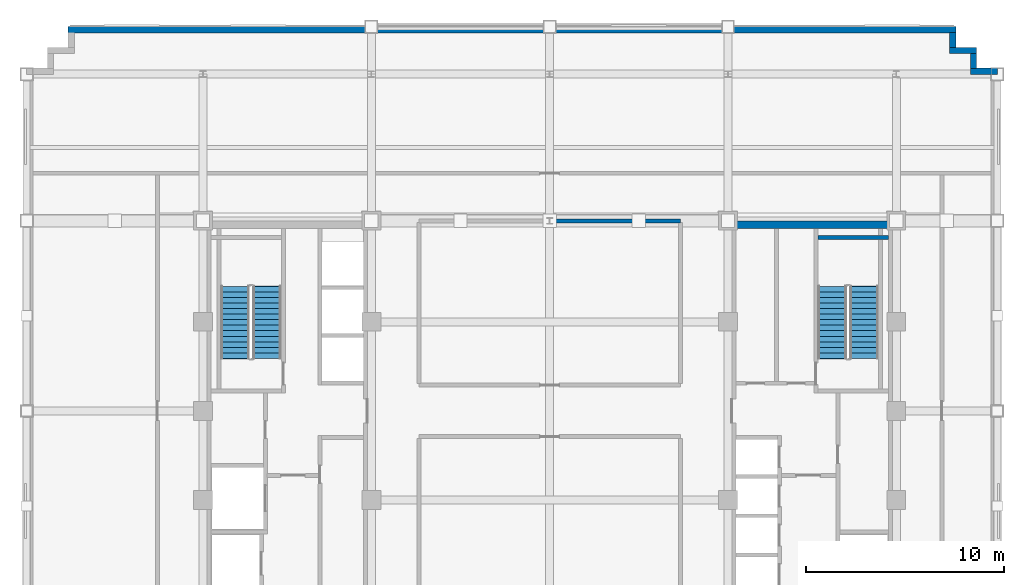
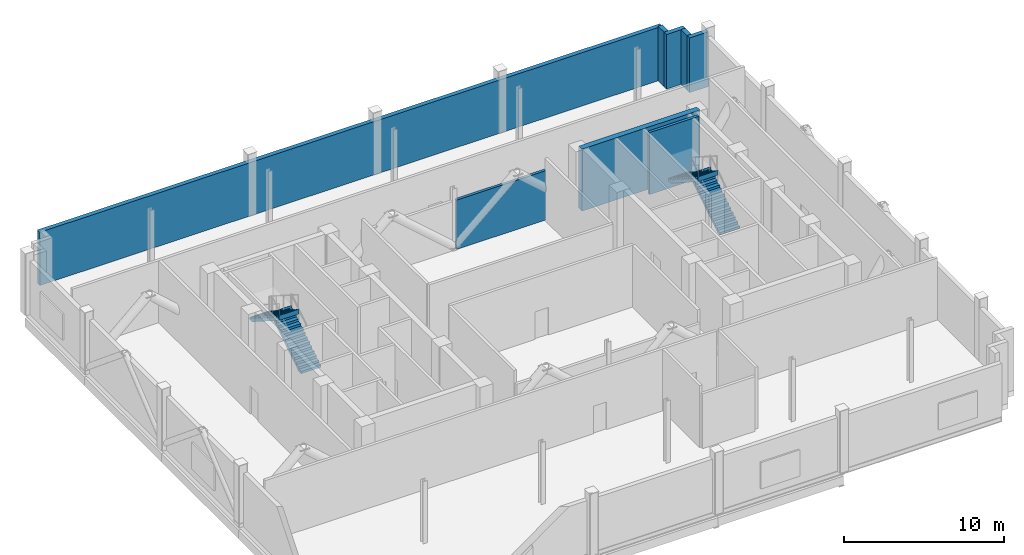
# One storey, part 9 of 13: 8 walls, 4 stair flights, 2 elements without a shape of their own.
"""IFC4 building model written with IfcOpenShell, lengths in metres."""

from ifc_helpers import new_model, si_unit, direction, frame, frame_2d, origin, place, context, subcontext, project, spatial, polyline, rectangle, outline, extrude, material, layer, layer_set, type_object, element, aggregate, save


model = new_model("IFC4")

# Units and contexts
model_context = context("Model", 3, precision=1e-05, world=origin(), true_north=direction((0.0, 1.0)))
body_context = subcontext(model_context, "Body", "Model", "MODEL_VIEW")
ifc_project = project(units=[si_unit("LENGTHUNIT", "METRE"), si_unit("AREAUNIT", "SQUARE_METRE"), si_unit("VOLUMEUNIT", "CUBIC_METRE"), si_unit("PLANEANGLEUNIT", "RADIAN"), si_unit("MASSUNIT", "GRAM", prefix="KILO")], contexts=[model_context])

# Site, building, storey
site_placement = place(None, origin())
site = spatial("IfcSite", under=ifc_project, at=site_placement, CompositionType="ELEMENT")
building_placement = place(site_placement, origin())
building = spatial("IfcBuilding", under=site, at=building_placement, Name="Nuvemarco Arch Tower", CompositionType="ELEMENT")
storey_placement = place(building_placement, frame((0.0, 0.0, 185.89990234375)))
storey = spatial("IfcBuildingStorey", under=building, at=storey_placement, Name="L49", CompositionType="ELEMENT", Elevation=185.89990234375)

# Walls
ifc_material_1 = material(Name="Precast concrete C45/55", Category="concrete")
ifc_layer_1 = layer(ifc_material_1, 0.31005859375, Name="EW-UPP-310")
ifc_layer_set_1 = layer_set([ifc_layer_1], Name="Precast concrete C45/55")
wall_type_1 = type_object("IfcWallType", Name="EW-UPP-310", PredefinedType="STANDARD", material=ifc_layer_set_1)
wall_1_placement = place(storey_placement, frame((21.239990234375, 17.14501953125, 0.0), z_axis=(0.0, 0.0, 1.0), x_axis=(1.0, 0.0, 0.0)))
element("IfcWall", 1, at=wall_1_placement, inside=storey, type_object=wall_type_1, Name="L49 exterior precast facade wall 7", PredefinedType="STANDARD", context=body_context, shape_type="SweptSolid", body=[
    extrude(rectangle(XDim=1.360107421875, YDim=0.31005859375, at=frame_2d((0.68017578125, 0.0))), origin(), (0.0, 0.0, 1.0), 4.166015625),
])
wall_2_placement = place(storey_placement, frame((21.39501953125, 17.2958984375, 0.0), z_axis=(0.0, 0.0, 1.0), x_axis=(0.0, 1.0, 0.0)))
element("IfcWall", 2, at=wall_2_placement, inside=storey, type_object=wall_type_1, Name="L49 exterior precast facade wall 8", PredefinedType="STANDARD", context=body_context, shape_type="SweptSolid", body=[
    extrude(rectangle(XDim=0.748046875, YDim=0.31005859375, at=frame_2d((0.3740234375, 0.0))), origin(), (0.0, 0.0, 1.0), 4.166015625),
])
wall_3_placement = place(storey_placement, frame((20.18994140625, 18.195068359375, 0.0), z_axis=(0.0, 0.0, 1.0), x_axis=(1.0, 0.0, 0.0)))
element("IfcWall", 3, at=wall_3_placement, inside=storey, type_object=wall_type_1, Name="L49 exterior precast facade wall 9", PredefinedType="STANDARD", context=body_context, shape_type="SweptSolid", body=[
    extrude(rectangle(XDim=1.360107421875, YDim=0.31005859375, at=frame_2d((0.68017578125, 0.0))), origin(), (0.0, 0.0, 1.0), 4.166015625),
])
wall_4_placement = place(storey_placement, frame((20.344970703125, 18.345947265625, 0.0), z_axis=(0.0, 0.0, 1.0), x_axis=(0.0, 1.0, 0.0)))
element("IfcWall", 4, at=wall_4_placement, inside=storey, type_object=wall_type_1, Name="L49 exterior precast facade wall 10", PredefinedType="STANDARD", context=body_context, shape_type="SweptSolid", body=[
    extrude(rectangle(XDim=0.748046875, YDim=0.31005859375, at=frame_2d((0.3740234375, 0.0))), origin(), (0.0, 0.0, 1.0), 4.166015625),
])
wall_5_placement = place(storey_placement, frame((-24.300048828125, 19.2451171875, 0.0), z_axis=(0.0, 0.0, 1.0), x_axis=(1.0, 0.0, 0.0)))
element("IfcWall", 5, at=wall_5_placement, inside=storey, type_object=wall_type_1, Name="L49 exterior precast facade wall 11", PredefinedType="STANDARD", context=body_context, shape_type="SweptSolid", body=[
    extrude(rectangle(XDim=44.800048828125, YDim=0.31005859375, at=frame_2d((22.39990234375, 0.0))), origin(), (0.0, 0.0, 1.0), 4.05517578125),
])
ifc_material_2 = material(Name="Concrete C60/75", Category="concrete")
ifc_layer_2 = layer(ifc_material_2, 0.39990234375, Name="WL-CORE-400")
ifc_layer_set_2 = layer_set([ifc_layer_2], Name="Concrete C60/75")
wall_type_2 = type_object("IfcWallType", Name="WL-CORE-400", PredefinedType="SHEAR", material=ifc_layer_set_2)
wall_6_placement = place(storey_placement, frame((9.0, 9.39990234375, 0.0), z_axis=(0.0, 0.0, 1.0), x_axis=(1.0, 0.0, 0.0)))
element("IfcWall", 6, at=wall_6_placement, inside=storey, type_object=wall_type_2, Name="L49 E-core shear wall N", PredefinedType="SHEAR", context=body_context, shape_type="SweptSolid", body=[
    extrude(rectangle(XDim=8.5, YDim=0.39990234375, at=frame_2d((4.25, 0.0))), origin(), (0.0, 0.0, 1.0), 4.72021484375),
])
ifc_layer_3 = layer(ifc_material_1, 0.199951171875, Name="WL-PLANT-200")
ifc_layer_set_3 = layer_set([ifc_layer_3], Name="Precast concrete C45/55")
wall_type_3 = type_object("IfcWallType", Name="WL-PLANT-200", PredefinedType="STANDARD", material=ifc_layer_set_3)
wall_7_placement = place(storey_placement, frame((0.15087890625, 9.60009765625, 0.0), z_axis=(0.0, 0.0, 1.0), x_axis=(1.0, 0.0, 0.0)))
element("IfcWall", 7, at=wall_7_placement, inside=storey, type_object=wall_type_3, Name="L49 interior wall IW-L49-009", PredefinedType="STANDARD", context=body_context, shape_type="SweptSolid", body=[
    extrude(rectangle(XDim=6.44921875, YDim=0.199951171875, at=frame_2d((3.224609375, 0.0))), origin(), (0.0, 0.0, 1.0), 3.755126953125),
])
ifc_material_3 = material(Name="Concrete C50/60", Category="concrete")
ifc_layer_4 = layer(ifc_material_3, 0.199951171875, Name="WL-SHAFT-220")
ifc_layer_set_4 = layer_set([ifc_layer_4], Name="Concrete C50/60")
wall_type_4 = type_object("IfcWallType", Name="WL-SHAFT-220", PredefinedType="SHEAR", material=ifc_layer_set_4)
wall_8_placement = place(storey_placement, frame((13.534912109375, 8.75, 0.0), z_axis=(0.0, 0.0, 1.0), x_axis=(1.0, 0.0, 0.0)))
element("IfcWall", 8, at=wall_8_placement, inside=storey, type_object=wall_type_4, Name="L49 structural shaft wall SW-L49-E-ST2N", PredefinedType="SHEAR", context=body_context, shape_type="SweptSolid", body=[
    extrude(rectangle(XDim=3.570068359375, YDim=0.199951171875, at=frame_2d((1.78515625, 0.0))), origin(), (0.0, 0.0, 1.0), 4.72021484375),
])

# Stair, stair flights
stair_type = type_object("IfcStairType", Name="ST-CORE-28R", PredefinedType="HALF_TURN_STAIR", material=ifc_material_1)
stair_1_placement = place(storey_placement, origin())
stair_1 = element("IfcStair", 9, at=stair_1_placement, inside=storey, type_object=stair_type, Name="L49 Protected Exit Stair ST-1", PredefinedType="HALF_TURN_STAIR")
stair_flight_type = type_object("IfcStairFlightType", Name="SF-CORE-28R", PredefinedType="STRAIGHT", material=ifc_material_1)
stair_flight_1_placement = place(storey_placement, frame((-14.264892578125, 2.64990234375, 0.0), z_axis=(0.0, 0.0, 1.0), x_axis=(0.0, 1.0, 0.0)))
stair_flight_1 = element("IfcStairFlight", 10, at=stair_flight_1_placement, type_object=stair_flight_type, Name="ST-28R flight 1", NumberOfRisers=14, NumberOfTreads=13, PredefinedType="STRAIGHT", RiserHeight=0.178571429, TreadLength=0.28, context=body_context, shape_type="SweptSolid", body=[
    extrude(outline(polyline([(0.0, 0.0), (0.0, 0.178466796875), (0.280029296875, 0.178466796875), (0.280029296875, 0.357177734375), (0.56005859375, 0.357177734375), (0.56005859375, 0.53564453125), (0.840087890625, 0.53564453125), (0.840087890625, 0.71435546875), (1.1201171875, 0.71435546875), (1.1201171875, 0.892822265625), (1.39990234375, 0.892822265625), (1.39990234375, 1.071533203125), (1.679931640625, 1.071533203125), (1.679931640625, 1.25), (1.9599609375, 1.25), (1.9599609375, 1.428466796875), (2.239990234375, 1.428466796875), (2.239990234375, 1.607177734375), (2.52001953125, 1.607177734375), (2.52001953125, 1.78564453125), (2.800048828125, 1.78564453125), (2.800048828125, 1.96435546875), (3.080078125, 1.96435546875), (3.080078125, 2.142822265625), (3.360107421875, 2.142822265625), (3.360107421875, 2.321533203125), (3.639892578125, 2.321533203125), (3.639892578125, 2.5), (3.659912109375, 2.5), (3.659912109375, 2.1318359375), (0.3173828125, 0.0), (0.0, 0.0)])), frame((0.0, 0.72509765625, 0.0), z_axis=(0.0, -1.0, 0.0), x_axis=(1.0, 0.0, 0.0)), (0.0, 0.0, 1.0), 1.449951171875),
])
stair_flight_2_placement = place(storey_placement, frame((-15.875, 6.2900390625, 2.5), z_axis=(0.0, 0.0, 1.0), x_axis=(0.0, -1.0, 0.0)))
stair_flight_2 = element("IfcStairFlight", 11, at=stair_flight_2_placement, type_object=stair_flight_type, Name="ST-28R flight 2", NumberOfRisers=14, NumberOfTreads=13, PredefinedType="STRAIGHT", RiserHeight=0.178571429, TreadLength=0.28, context=body_context, shape_type="SweptSolid", body=[
    extrude(outline(polyline([(0.0, 0.0), (0.0, 0.178466796875), (0.280029296875, 0.178466796875), (0.280029296875, 0.357177734375), (0.56005859375, 0.357177734375), (0.56005859375, 0.53564453125), (0.840087890625, 0.53564453125), (0.840087890625, 0.71435546875), (1.1201171875, 0.71435546875), (1.1201171875, 0.892822265625), (1.39990234375, 0.892822265625), (1.39990234375, 1.071533203125), (1.679931640625, 1.071533203125), (1.679931640625, 1.25), (1.9599609375, 1.25), (1.9599609375, 1.428466796875), (2.239990234375, 1.428466796875), (2.239990234375, 1.607177734375), (2.52001953125, 1.607177734375), (2.52001953125, 1.78564453125), (2.800048828125, 1.78564453125), (2.800048828125, 1.96435546875), (3.080078125, 1.96435546875), (3.080078125, 2.142822265625), (3.360107421875, 2.142822265625), (3.360107421875, 2.321533203125), (3.639892578125, 2.321533203125), (3.639892578125, 2.5), (3.659912109375, 2.5), (3.659912109375, 2.1318359375), (0.3173828125, 0.0), (0.0, 0.0)])), frame((0.0, 0.72509765625, 0.0), z_axis=(0.0, -1.0, 0.0), x_axis=(1.0, 0.0, 0.0)), (0.0, 0.0, 1.0), 1.449951171875),
])
aggregate(stair_1, [stair_flight_1, stair_flight_2])

stair_2_placement = place(storey_placement, origin())
stair_2 = element("IfcStair", 12, at=stair_2_placement, inside=storey, type_object=stair_type, Name="L49 Protected Exit Stair ST-2", PredefinedType="HALF_TURN_STAIR")
stair_flight_3_placement = place(storey_placement, frame((15.875, 2.64990234375, 0.0), z_axis=(0.0, 0.0, 1.0), x_axis=(0.0, 1.0, 0.0)))
stair_flight_3 = element("IfcStairFlight", 13, at=stair_flight_3_placement, type_object=stair_flight_type, Name="ST-28R flight 1", NumberOfRisers=14, NumberOfTreads=13, PredefinedType="STRAIGHT", RiserHeight=0.178571429, TreadLength=0.28, context=body_context, shape_type="SweptSolid", body=[
    extrude(outline(polyline([(0.0, 0.0), (0.0, 0.178466796875), (0.280029296875, 0.178466796875), (0.280029296875, 0.357177734375), (0.56005859375, 0.357177734375), (0.56005859375, 0.53564453125), (0.840087890625, 0.53564453125), (0.840087890625, 0.71435546875), (1.1201171875, 0.71435546875), (1.1201171875, 0.892822265625), (1.39990234375, 0.892822265625), (1.39990234375, 1.071533203125), (1.679931640625, 1.071533203125), (1.679931640625, 1.25), (1.9599609375, 1.25), (1.9599609375, 1.428466796875), (2.239990234375, 1.428466796875), (2.239990234375, 1.607177734375), (2.52001953125, 1.607177734375), (2.52001953125, 1.78564453125), (2.800048828125, 1.78564453125), (2.800048828125, 1.96435546875), (3.080078125, 1.96435546875), (3.080078125, 2.142822265625), (3.360107421875, 2.142822265625), (3.360107421875, 2.321533203125), (3.639892578125, 2.321533203125), (3.639892578125, 2.5), (3.659912109375, 2.5), (3.659912109375, 2.1318359375), (0.3173828125, 0.0), (0.0, 0.0)])), frame((0.0, 0.72509765625, 0.0), z_axis=(0.0, -1.0, 0.0), x_axis=(1.0, 0.0, 0.0)), (0.0, 0.0, 1.0), 1.449951171875),
])
stair_flight_4_placement = place(storey_placement, frame((14.264892578125, 6.2900390625, 2.5), z_axis=(0.0, 0.0, 1.0), x_axis=(0.0, -1.0, 0.0)))
stair_flight_4 = element("IfcStairFlight", 14, at=stair_flight_4_placement, type_object=stair_flight_type, Name="ST-28R flight 2", NumberOfRisers=14, NumberOfTreads=13, PredefinedType="STRAIGHT", RiserHeight=0.178571429, TreadLength=0.28, context=body_context, shape_type="SweptSolid", body=[
    extrude(outline(polyline([(0.0, 0.0), (0.0, 0.178466796875), (0.280029296875, 0.178466796875), (0.280029296875, 0.357177734375), (0.56005859375, 0.357177734375), (0.56005859375, 0.53564453125), (0.840087890625, 0.53564453125), (0.840087890625, 0.71435546875), (1.1201171875, 0.71435546875), (1.1201171875, 0.892822265625), (1.39990234375, 0.892822265625), (1.39990234375, 1.071533203125), (1.679931640625, 1.071533203125), (1.679931640625, 1.25), (1.9599609375, 1.25), (1.9599609375, 1.428466796875), (2.239990234375, 1.428466796875), (2.239990234375, 1.607177734375), (2.52001953125, 1.607177734375), (2.52001953125, 1.78564453125), (2.800048828125, 1.78564453125), (2.800048828125, 1.96435546875), (3.080078125, 1.96435546875), (3.080078125, 2.142822265625), (3.360107421875, 2.142822265625), (3.360107421875, 2.321533203125), (3.639892578125, 2.321533203125), (3.639892578125, 2.5), (3.659912109375, 2.5), (3.659912109375, 2.1318359375), (0.3173828125, 0.0), (0.0, 0.0)])), frame((0.0, 0.72509765625, 0.0), z_axis=(0.0, -1.0, 0.0), x_axis=(1.0, 0.0, 0.0)), (0.0, 0.0, 1.0), 1.449951171875),
])
aggregate(stair_2, [stair_flight_3, stair_flight_4])

save(model, "model.ifc")
